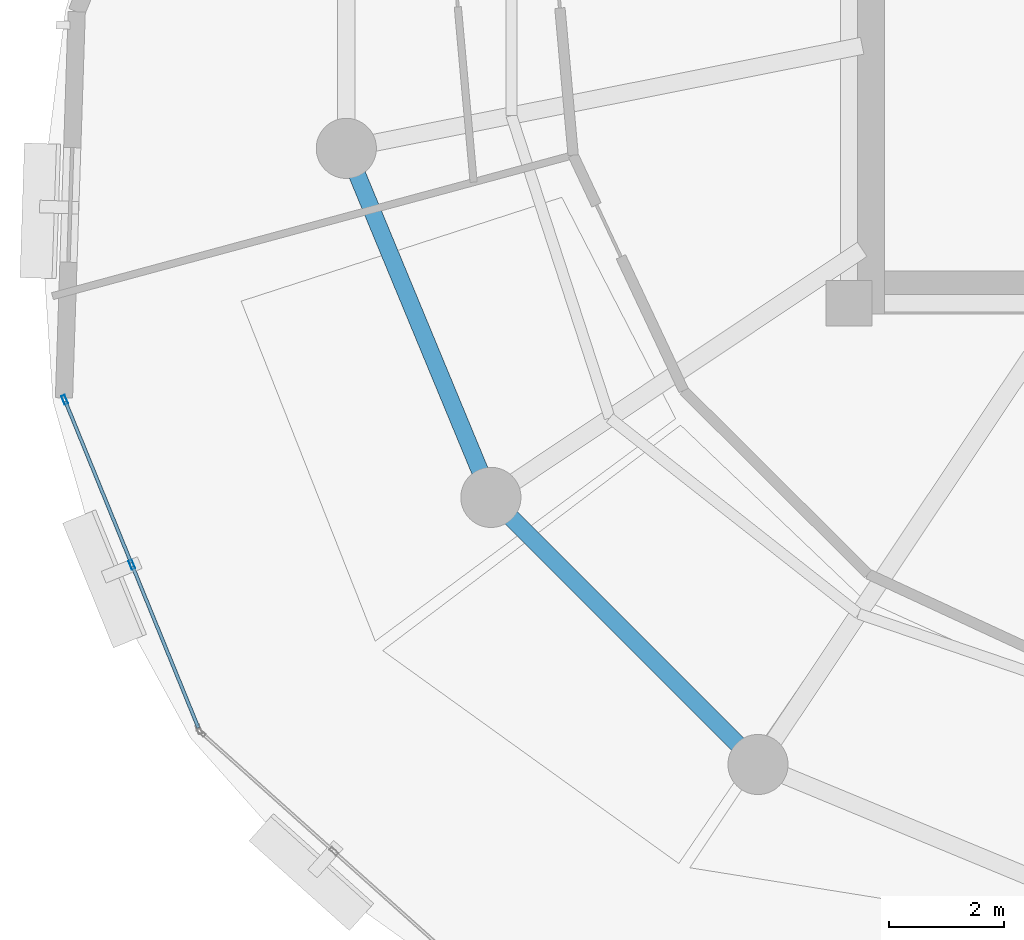
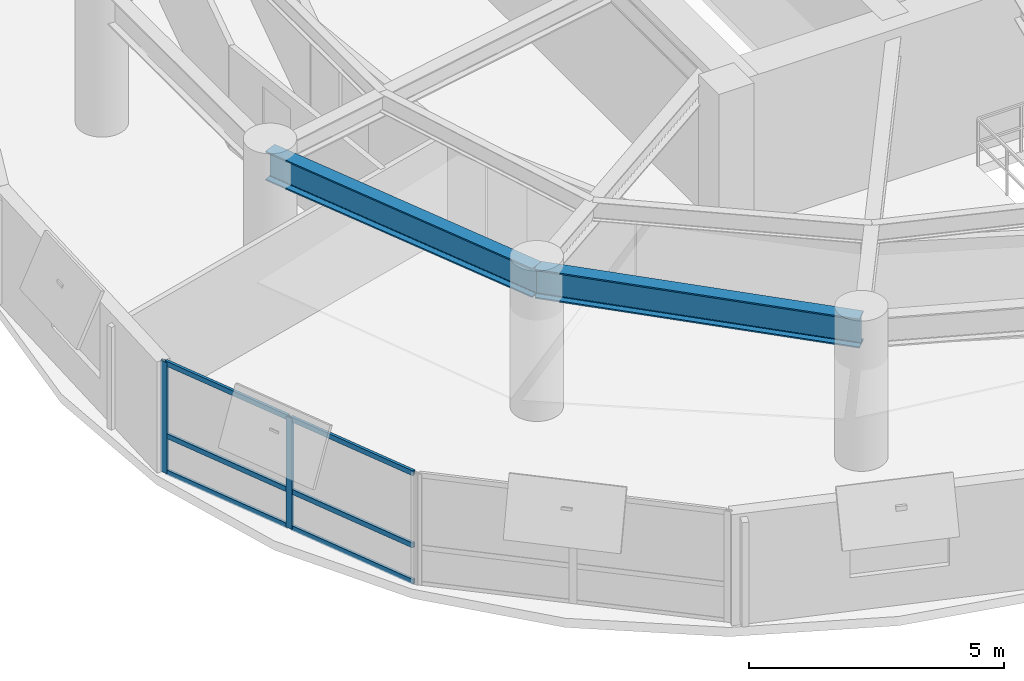
# One storey, part 3 of 11: 8 members, 2 beams, 1 element without a shape of its own.
"""IFC4 building model written with IfcOpenShell, lengths in metres."""

from ifc_helpers import new_model, si_unit, direction, frame, origin, origin_2d, place, context, subcontext, project, spatial, hollow_rectangle, i_section, extrude, material, layer, layer_set, material_profile, profile_set, type_object, element, aggregate, save


model = new_model("IFC4")

# Units and contexts
model_context = context("Model", 3, precision=1e-05, world=origin(), true_north=direction((0.0, 1.0)))
body_context = subcontext(model_context, "Body", "Model", "MODEL_VIEW")
ifc_project = project(units=[si_unit("LENGTHUNIT", "METRE"), si_unit("AREAUNIT", "SQUARE_METRE"), si_unit("VOLUMEUNIT", "CUBIC_METRE"), si_unit("PLANEANGLEUNIT", "RADIAN"), si_unit("MASSUNIT", "GRAM", prefix="KILO"), si_unit("THERMODYNAMICTEMPERATUREUNIT", "KELVIN"), si_unit("POWERUNIT", "WATT")], contexts=[model_context])

# Site, building, storey
site_placement = place(None, origin())
site = spatial("IfcSite", under=ifc_project, at=site_placement, CompositionType="ELEMENT")
building_placement = place(site_placement, origin())
building = spatial("IfcBuilding", under=site, at=building_placement, Name="Ocrelia Relay Tower", CompositionType="ELEMENT")
storey_placement = place(building_placement, frame((0.0, 0.0, 180.800048828125)))
storey = spatial("IfcBuildingStorey", under=building, at=storey_placement, Name="L43", CompositionType="ELEMENT", Elevation=180.800048828125)

# Beams
ifc_material_1 = material(Name="Steel S355", Category="steel")
ifc_material_profile_1 = material_profile(ifc_material_1, i_section(OverallWidth=0.300048828125, OverallDepth=0.699951171875, WebThickness=0.01708984375, FlangeThickness=0.031982421875, FilletRadius=0.027099609375, at=origin_2d()), Name="HEB 700")
ifc_profile_set_1 = profile_set([ifc_material_profile_1], Name="Steel S355")
beam_type = type_object("IfcBeamType", Name="BM-HEB700", PredefinedType="BEAM", material=ifc_profile_set_1)
for number, where, z_axis, x_axis, name in (
    (1, (17.4248046875, 22.702880859375, 3.030029296875), (0.382687508402, -0.923877844151, 0.0), (0.923877844151, 0.382687508402, 0.0), "L43 Perimeter Spandrel Beam S09"),
    (2, (19.9482421875, 16.61083984375, 3.030029296875), (0.707106781187, -0.707106781187, 0.0), (0.707106781187, 0.707106781187, 0.0), "L43 Perimeter Spandrel Beam S10"),
):
    element("IfcBeam", number, at=place(storey_placement, frame(where, z_axis=z_axis, x_axis=x_axis)), inside=storey, type_object=beam_type, Name=name, PredefinedType="BEAM", context=body_context, shape_type="SweptSolid", body=[
        extrude(i_section(OverallWidth=0.300048828125, OverallDepth=0.699951171875, WebThickness=0.01708984375, FlangeThickness=0.031982421875, FilletRadius=0.027099609375, at=origin_2d()), origin(), (0.0, 0.0, 1.0), 6.593994140625),
    ])

# Curtain wall, members
ifc_material_2 = material(Name="Aluminium and solar-control low-E glass", Category="aluminium")
ifc_layer = layer(ifc_material_2, 0.179931640625, Name="Aluminium and solar-control low-E glass")
ifc_layer_set = layer_set([ifc_layer], Name="Aluminium and solar-control low-E glass")
curtain_wall_type = type_object("IfcCurtainWallType", Name="CW-SYS-Z3-CLOU", PredefinedType="NOTDEFINED", material=ifc_layer_set)
curtain_wall_placement = place(storey_placement, origin())
curtain_wall = element("IfcCurtainWall", 3, at=curtain_wall_placement, inside=storey, type_object=curtain_wall_type, Name="L43 Elliptical Tower Curtain Wall Bay 09", PredefinedType="NOTDEFINED")
ifc_material_3 = material(Name="Anodised bronze aluminium", Category="aluminium")
ifc_material_profile_2 = material_profile(ifc_material_3, hollow_rectangle(XDim=0.06494140625, YDim=0.159912109375, WallThickness=0.0048828125, at=origin_2d()), Name="CW-MUL-160x65")
ifc_profile_set_2 = profile_set([ifc_material_profile_2], Name="Anodised bronze aluminium")
member_type_1 = type_object("IfcMemberType", Name="CW-SYS-Z3-CLOU-MUL", PredefinedType="MULLION", material=ifc_profile_set_2)
member_1_placement = place(storey_placement, frame((12.508544921875, 18.31640625, 0.0), z_axis=(0.0, 0.0, 1.0), x_axis=(0.92607443822, 0.377340873582, 0.0)))
member_1 = element("IfcMember", 4, at=member_1_placement, type_object=member_type_1, Name="CW-Z3 mullion 1", PredefinedType="MULLION", context=body_context, shape_type="SweptSolid", body=[
    extrude(hollow_rectangle(XDim=0.06494140625, YDim=0.159912109375, WallThickness=0.0048828125, at=origin_2d()), origin(), (0.0, 0.0, 1.0), 2.659912109375),
])
member_2_placement = place(storey_placement, frame((13.681640625, 15.437255859375, 0.0), z_axis=(0.0, 0.0, 1.0), x_axis=(0.92607443822, 0.377340873582, 0.0)))
member_2 = element("IfcMember", 5, at=member_2_placement, type_object=member_type_1, Name="CW-Z3 mullion 2", PredefinedType="MULLION", context=body_context, shape_type="SweptSolid", body=[
    extrude(hollow_rectangle(XDim=0.06494140625, YDim=0.159912109375, WallThickness=0.0048828125, at=origin_2d()), origin(), (0.0, 0.0, 1.0), 2.659912109375),
])
ifc_material_profile_3 = material_profile(ifc_material_3, hollow_rectangle(XDim=0.06005859375, YDim=0.1201171875, WallThickness=0.0048828125, at=origin_2d()), Name="CW-TRN-120x60")
ifc_profile_set_3 = profile_set([ifc_material_profile_3], Name="Anodised bronze aluminium")
member_type_2 = type_object("IfcMemberType", Name="CW-SYS-Z3-CLOU-TRN", PredefinedType="USERDEFINED", material=ifc_profile_set_3)
member_3_placement = place(storey_placement, frame((12.520751953125, 18.2861328125, 0.030029296875), z_axis=(0.377370770294, -0.926062255859, 0.0), x_axis=(0.926062255859, 0.377370770294, 0.0)))
member_3 = element("IfcMember", 6, at=member_3_placement, type_object=member_type_2, Name="CW-Z3 transom 1.1", ObjectType="TRANSOM", PredefinedType="USERDEFINED", context=body_context, shape_type="SweptSolid", body=[
    extrude(hollow_rectangle(XDim=0.06005859375, YDim=0.1201171875, WallThickness=0.0048828125, at=origin_2d()), origin(), (0.0, 0.0, 1.0), 3.0439453125),
])
member_4_placement = place(storey_placement, frame((12.520751953125, 18.2861328125, 0.89990234375), z_axis=(0.377370770294, -0.926062255859, 0.0), x_axis=(0.926062255859, 0.377370770294, 0.0)))
member_4 = element("IfcMember", 7, at=member_4_placement, type_object=member_type_2, Name="CW-Z3 transom 1.2", ObjectType="TRANSOM", PredefinedType="USERDEFINED", context=body_context, shape_type="SweptSolid", body=[
    extrude(hollow_rectangle(XDim=0.06005859375, YDim=0.1201171875, WallThickness=0.0048828125, at=origin_2d()), origin(), (0.0, 0.0, 1.0), 3.0439453125),
])
member_5_placement = place(storey_placement, frame((12.520751953125, 18.2861328125, 2.6298828125), z_axis=(0.377370770294, -0.926062255859, 0.0), x_axis=(0.926062255859, 0.377370770294, 0.0)))
member_5 = element("IfcMember", 8, at=member_5_placement, type_object=member_type_2, Name="CW-Z3 transom 1.3", ObjectType="TRANSOM", PredefinedType="USERDEFINED", context=body_context, shape_type="SweptSolid", body=[
    extrude(hollow_rectangle(XDim=0.06005859375, YDim=0.1201171875, WallThickness=0.0048828125, at=origin_2d()), origin(), (0.0, 0.0, 1.0), 3.0439453125),
])
member_6_placement = place(storey_placement, frame((13.69384765625, 15.4072265625, 0.030029296875), z_axis=(0.377370770294, -0.926062255859, 0.0), x_axis=(0.926062255859, 0.377370770294, 0.0)))
member_6 = element("IfcMember", 9, at=member_6_placement, type_object=member_type_2, Name="CW-Z3 transom 2.1", ObjectType="TRANSOM", PredefinedType="USERDEFINED", context=body_context, shape_type="SweptSolid", body=[
    extrude(hollow_rectangle(XDim=0.06005859375, YDim=0.1201171875, WallThickness=0.0048828125, at=origin_2d()), origin(), (0.0, 0.0, 1.0), 3.0439453125),
])
member_7_placement = place(storey_placement, frame((13.69384765625, 15.4072265625, 0.89990234375), z_axis=(0.377370770294, -0.926062255859, 0.0), x_axis=(0.926062255859, 0.377370770294, 0.0)))
member_7 = element("IfcMember", 10, at=member_7_placement, type_object=member_type_2, Name="CW-Z3 transom 2.2", ObjectType="TRANSOM", PredefinedType="USERDEFINED", context=body_context, shape_type="SweptSolid", body=[
    extrude(hollow_rectangle(XDim=0.06005859375, YDim=0.1201171875, WallThickness=0.0048828125, at=origin_2d()), origin(), (0.0, 0.0, 1.0), 3.0439453125),
])
member_8_placement = place(storey_placement, frame((13.69384765625, 15.4072265625, 2.6298828125), z_axis=(0.377370770294, -0.926062255859, 0.0), x_axis=(0.926062255859, 0.377370770294, 0.0)))
member_8 = element("IfcMember", 11, at=member_8_placement, type_object=member_type_2, Name="CW-Z3 transom 2.3", ObjectType="TRANSOM", PredefinedType="USERDEFINED", context=body_context, shape_type="SweptSolid", body=[
    extrude(hollow_rectangle(XDim=0.06005859375, YDim=0.1201171875, WallThickness=0.0048828125, at=origin_2d()), origin(), (0.0, 0.0, 1.0), 3.0439453125),
])
aggregate(curtain_wall, [member_1, member_2, member_3, member_4, member_5, member_6, member_7, member_8])

save(model, "model.ifc")
